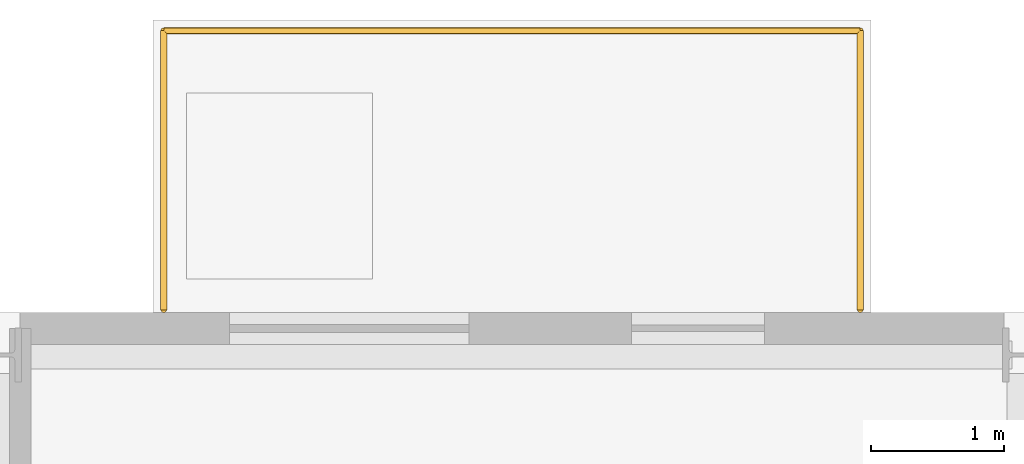
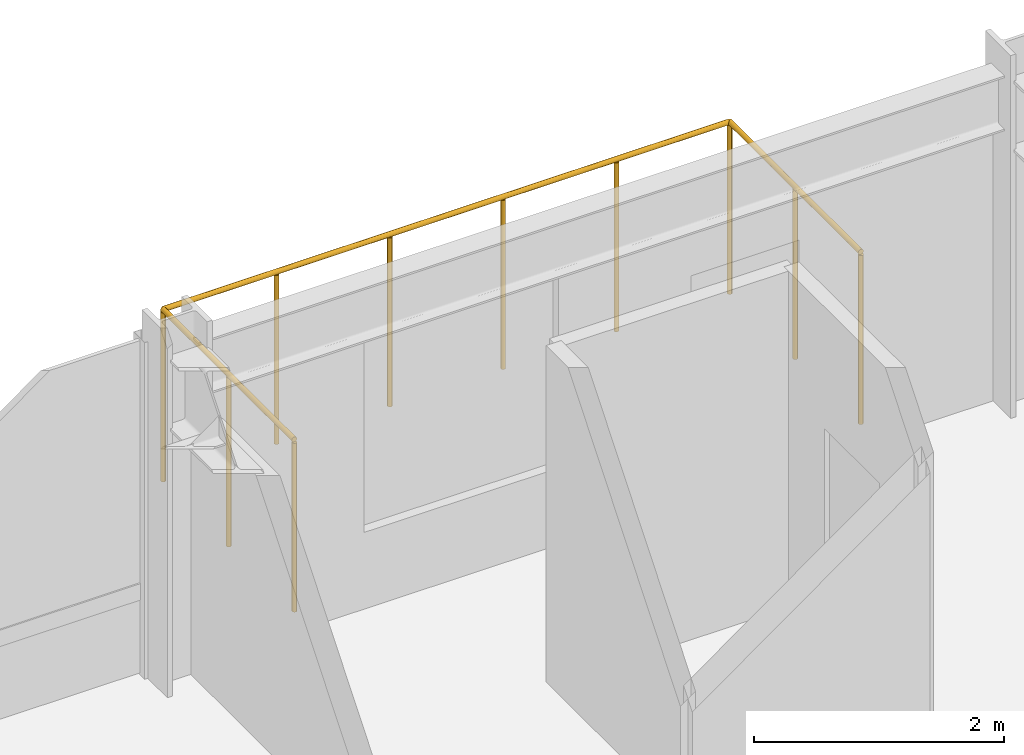
# One storey, part 33 of 33: 1 railing.
"""IFC4 building model written with IfcOpenShell, lengths in metres."""

import ifcopenshell
import ifcopenshell.guid

model = None  # the IFC model being written
_history = None  # IfcOwnerHistory: only IFC2X3 demands one
_inside = {}  # id of a spatial element -> (the spatial element, [elements in it])
_under = {}  # id of a project, library or spatial element -> (it, [spatial elements below it])
_declared = {}  # id of a project -> (the project, [libraries it declares])
_typed = {}  # id of a type object -> (the type object, [elements of that type])
_made_of = {}  # id of a material, layer set ... -> (it, [elements and type objects made of it])


def new_model(schema):
    """Start an empty IFC model of exactly this schema.

    Asked for "IFC4X3", IfcOpenShell would pick the latest addendum, in which some entities
    have other attributes; the version numbers below select the first issue.
    IFC2X3 requires an IfcOwnerHistory on every rooted entity: one is made here for all.
    """
    global model, _history
    if schema == "IFC4X3":
        model = ifcopenshell.file(schema_version=(4, 3, 0, 0))
    else:
        model = ifcopenshell.file(schema=schema)
    _inside.clear()
    _under.clear()
    _declared.clear()
    _typed.clear()
    _made_of.clear()
    _history = None
    if model.schema == "IFC2X3":
        org = make("IfcOrganization", Name="unknown")
        user = make(
            "IfcPersonAndOrganization",
            ThePerson=make("IfcPerson", FamilyName="unknown"),
            TheOrganization=org,
        )
        app = make(
            "IfcApplication",
            ApplicationDeveloper=org,
            Version="unknown",
            ApplicationFullName="unknown",
            ApplicationIdentifier="unknown",
        )
        _history = make(
            "IfcOwnerHistory",
            OwningUser=user,
            OwningApplication=app,
            ChangeAction="ADDED",
            CreationDate=0,
        )
    return model


def make(cls, **values):
    """One entity of the class cls with the attributes given. An attribute that is None is left unset."""
    return model.create_entity(
        cls, **{name: value for name, value in values.items() if value is not None}
    )


def rooted(cls, **values):
    """An entity with a GlobalId (a new one), such as an element, a storey or a relation."""
    return make(cls, GlobalId=ifcopenshell.guid.new(), OwnerHistory=_history, **values)


def si_unit(unit_type, name, prefix=None):
    """IfcSIUnit, for example si_unit("LENGTHUNIT", "METRE", prefix="MILLI")."""
    return make("IfcSIUnit", UnitType=unit_type, Prefix=prefix, Name=name)


def assignment(units):
    """IfcUnitAssignment: the units of a project."""
    return None if units is None else make("IfcUnitAssignment", Units=units)


def point(xyz):
    """IfcCartesianPoint."""
    return None if xyz is None else make("IfcCartesianPoint", Coordinates=xyz)


def direction(xyz):
    """IfcDirection."""
    return None if xyz is None else make("IfcDirection", DirectionRatios=xyz)


def frame(location, z_axis=None, x_axis=None):
    """IfcAxis2Placement3D, a coordinate frame: its origin and axes. An axis left out is left unset."""
    return make(
        "IfcAxis2Placement3D",
        Location=point(location),
        Axis=direction(z_axis),
        RefDirection=direction(x_axis),
    )


def frame_2d(location, x_axis=None):
    """IfcAxis2Placement2D, a coordinate frame in the plane: its origin and x axis."""
    return make(
        "IfcAxis2Placement2D", Location=point(location), RefDirection=direction(x_axis)
    )


def origin():
    """The frame at (0, 0, 0) with its axes left unset."""
    return frame((0.0, 0.0, 0.0))


def origin_2d():
    """The frame at (0, 0) in the plane with its x axis left unset."""
    return frame_2d((0.0, 0.0))


def place(relative_to, where):
    """IfcLocalPlacement: puts the frame where relative to a parent placement (None: the world)."""
    return make(
        "IfcLocalPlacement", PlacementRelTo=relative_to, RelativePlacement=where
    )


def context(
    kind, dimensions, precision=None, world=None, true_north=None, identifier=None
):
    """IfcGeometricRepresentationContext, for example the 3D "Model" context."""
    return make(
        "IfcGeometricRepresentationContext",
        ContextIdentifier=identifier,
        ContextType=kind,
        CoordinateSpaceDimension=dimensions,
        Precision=precision,
        WorldCoordinateSystem=world,
        TrueNorth=true_north,
    )


def subcontext(parent, identifier, kind, view, scale=None):
    """IfcGeometricRepresentationSubContext, for example "Body" below "Model"."""
    return make(
        "IfcGeometricRepresentationSubContext",
        ContextIdentifier=identifier,
        ContextType=kind,
        ParentContext=parent,
        TargetScale=scale,
        TargetView=view,
    )


def project(units=None, contexts=None):
    """IfcProject with its units and contexts."""
    return rooted(
        "IfcProject",
        Name="project",
        RepresentationContexts=contexts,
        UnitsInContext=assignment(units),
    )


def spatial(cls, under=None, at=None, **own):
    """A site, building, storey or space (cls), placed at a placement, below another one or the project."""
    s = rooted(cls, ObjectPlacement=at, **own)
    if under is not None:
        _under.setdefault(under.id(), (under, []))[1].append(s)
    return s


def profile(cls, at=None, kind="AREA", **sizes):
    """A parametric profile (cls). Its sizes go by their IFC names, for example OverallWidth=200.0."""
    return make(cls, ProfileType=kind, Position=at, **sizes)


def circle(**sizes):
    """IfcCircleProfileDef."""
    return profile("IfcCircleProfileDef", **sizes)


def extrude(swept, where, along, depth):
    """IfcExtrudedAreaSolid: the profile swept, set in the frame where, extruded along a direction by depth."""
    return make(
        "IfcExtrudedAreaSolid",
        SweptArea=swept,
        Position=where,
        ExtrudedDirection=direction(along),
        Depth=depth,
    )


def shape(context_of_items, identifier, shape_type, items):
    """IfcShapeRepresentation: the items that make up one representation, for example the "Body"."""
    return make(
        "IfcShapeRepresentation",
        ContextOfItems=context_of_items,
        RepresentationIdentifier=identifier,
        RepresentationType=shape_type,
        Items=items,
    )


def material(Name=None, Category=None):
    """IfcMaterial."""
    return make("IfcMaterial", Name=Name, Category=Category)


def made_of(thing, what):
    """Note that an element or type object is made of a material, layer set ...; save() writes the relation."""
    if what is not None:
        _made_of.setdefault(what.id(), (what, []))[1].append(thing)
    return thing


def type_object(cls, material=None, **own):
    """A type object (cls), such as IfcWallType, which elements share."""
    return made_of(rooted(cls, **own), material)


def element(
    cls,
    number,
    at=None,
    inside=None,
    cuts=None,
    type_object=None,
    material=None,
    context=None,
    identifier="Body",
    shape_type=None,
    held_by="IfcProductDefinitionShape",
    body=None,
    shapes=None,
    **own,
):
    """One element of the class cls, such as IfcWall. Its Tag is "e" and its number.

    at: its placement. inside: the storey or other place that contains it. cuts: it is an
    opening in that element (IfcRelVoidsElement). A single representation is given by context,
    identifier, shape_type and body (its items); several are given by shapes. held_by: the class
    of the entity that holds the representations. save() writes the other relations.
    """
    e = rooted(cls, Tag="e%d" % number, ObjectPlacement=at, **own)
    if body is not None:
        shapes = [shape(context, identifier, shape_type, body)]
    if shapes is not None:
        e.Representation = make(held_by, Representations=shapes)
    if inside is not None:
        _inside.setdefault(inside.id(), (inside, []))[1].append(e)
    if cuts is not None:
        rooted(
            "IfcRelVoidsElement", RelatingBuildingElement=cuts, RelatedOpeningElement=e
        )
    if type_object is not None:
        _typed.setdefault(type_object.id(), (type_object, []))[1].append(e)
    return made_of(e, material)


def aggregate(whole, parts):
    """IfcRelAggregates: a whole, such as a stair, and the parts it consists of."""
    return rooted("IfcRelAggregates", RelatingObject=whole, RelatedObjects=parts)


def save(model, path):
    """Write the relations noted so far, then the file.

    IfcRelAggregates (storeys below a building ...), IfcRelContainedInSpatialStructure (elements
    in a storey), IfcRelDefinesByType, IfcRelAssociatesMaterial and IfcRelDeclares: one each for
    every whole, place, type object, material and project.
    """
    for whole, parts in _under.values():
        aggregate(whole, parts)
    for where, things in _inside.values():
        rooted(
            "IfcRelContainedInSpatialStructure",
            RelatedElements=things,
            RelatingStructure=where,
        )
    for kind, things in _typed.values():
        rooted("IfcRelDefinesByType", RelatedObjects=things, RelatingType=kind)
    for what, things in _made_of.values():
        rooted("IfcRelAssociatesMaterial", RelatedObjects=things, RelatingMaterial=what)
    for by, libraries in _declared.values():
        rooted("IfcRelDeclares", RelatingContext=by, RelatedDefinitions=libraries)
    model.write(path)


model = new_model("IFC4")

# Units and contexts
model_context = context("Model", 3, precision=1e-05, world=origin(), true_north=direction((0.0, 1.0)))
body_context = subcontext(model_context, "Body", "Model", "MODEL_VIEW")
ifc_project = project(units=[si_unit("LENGTHUNIT", "METRE"), si_unit("AREAUNIT", "SQUARE_METRE"), si_unit("VOLUMEUNIT", "CUBIC_METRE"), si_unit("PLANEANGLEUNIT", "RADIAN"), si_unit("MASSUNIT", "GRAM", prefix="KILO")], contexts=[model_context])

# Site, building, storey
site_placement = place(None, origin())
site = spatial("IfcSite", under=ifc_project, at=site_placement, CompositionType="ELEMENT")
building_placement = place(site_placement, origin())
building = spatial("IfcBuilding", under=site, at=building_placement, Name="Drelvath Grand Hotel", CompositionType="ELEMENT")
storey_placement = place(building_placement, frame((0.0, 0.0, 171.699951171875)))
storey = spatial("IfcBuildingStorey", under=building, at=storey_placement, Name="L44", CompositionType="ELEMENT", Elevation=171.699951171875)

# Railing
ifc_material = material(Name="Anodised Aluminium and Laminated Glass Balustrade", Category="aluminium")
railing_type = type_object("IfcRailingType", Name="Raised Planter Edge Balustrade 1700", PredefinedType="BALUSTRADE", material=ifc_material)
railing_placement = place(storey_placement, frame((9.679931640625, 49.219970703125, 0.0)))
element("IfcRailing", 1, at=railing_placement, inside=storey, type_object=railing_type, Name="L44 Tree Balcony Perimeter Balustrade 1", PredefinedType="BALUSTRADE", context=body_context, shape_type="SweptSolid", body=[
    extrude(circle(Radius=0.02392578125, at=origin_2d()), frame((0.0, 0.0, 1.67578125), z_axis=(0.0, 1.0, 0.0), x_axis=(-1.0, 0.0, 0.0)), (0.0, 0.0, 1.0), 2.10009765625),
    extrude(circle(Radius=0.02392578125, at=origin_2d()), frame((0.0, 2.10009765625, 1.67578125), z_axis=(1.0, 0.0, 0.0), x_axis=(0.0, 1.0, 0.0)), (0.0, 0.0, 1.0), 5.239990234375),
    extrude(circle(Radius=0.02392578125, at=origin_2d()), frame((5.239990234375, 2.10009765625, 1.67578125), z_axis=(0.0, -1.0, 0.0), x_axis=(1.0, 0.0, 0.0)), (0.0, 0.0, 1.0), 2.10009765625),
    extrude(circle(Radius=0.02099609375, at=origin_2d()), origin(), (0.0, 0.0, 1.0), 1.65185546875),
    extrude(circle(Radius=0.02099609375, at=origin_2d()), frame((0.0, 1.050048828125, 0.0)), (0.0, 0.0, 1.0), 1.65185546875),
    extrude(circle(Radius=0.02099609375, at=origin_2d()), frame((0.0, 2.10009765625, 0.0)), (0.0, 0.0, 1.0), 1.65185546875),
    extrude(circle(Radius=0.02099609375, at=origin_2d()), frame((1.048095703125, 2.10009765625, 0.0)), (0.0, 0.0, 1.0), 1.65185546875),
    extrude(circle(Radius=0.02099609375, at=origin_2d()), frame((2.095947265625, 2.10009765625, 0.0)), (0.0, 0.0, 1.0), 1.65185546875),
    extrude(circle(Radius=0.02099609375, at=origin_2d()), frame((3.14404296875, 2.10009765625, 0.0)), (0.0, 0.0, 1.0), 1.65185546875),
    extrude(circle(Radius=0.02099609375, at=origin_2d()), frame((4.19189453125, 2.10009765625, 0.0)), (0.0, 0.0, 1.0), 1.65185546875),
    extrude(circle(Radius=0.02099609375, at=origin_2d()), frame((5.239990234375, 2.10009765625, 0.0)), (0.0, 0.0, 1.0), 1.65185546875),
    extrude(circle(Radius=0.02099609375, at=origin_2d()), frame((5.239990234375, 1.050048828125, 0.0)), (0.0, 0.0, 1.0), 1.65185546875),
    extrude(circle(Radius=0.02099609375, at=origin_2d()), frame((5.239990234375, 0.0, 0.0)), (0.0, 0.0, 1.0), 1.65185546875),
])

save(model, "model.ifc")
